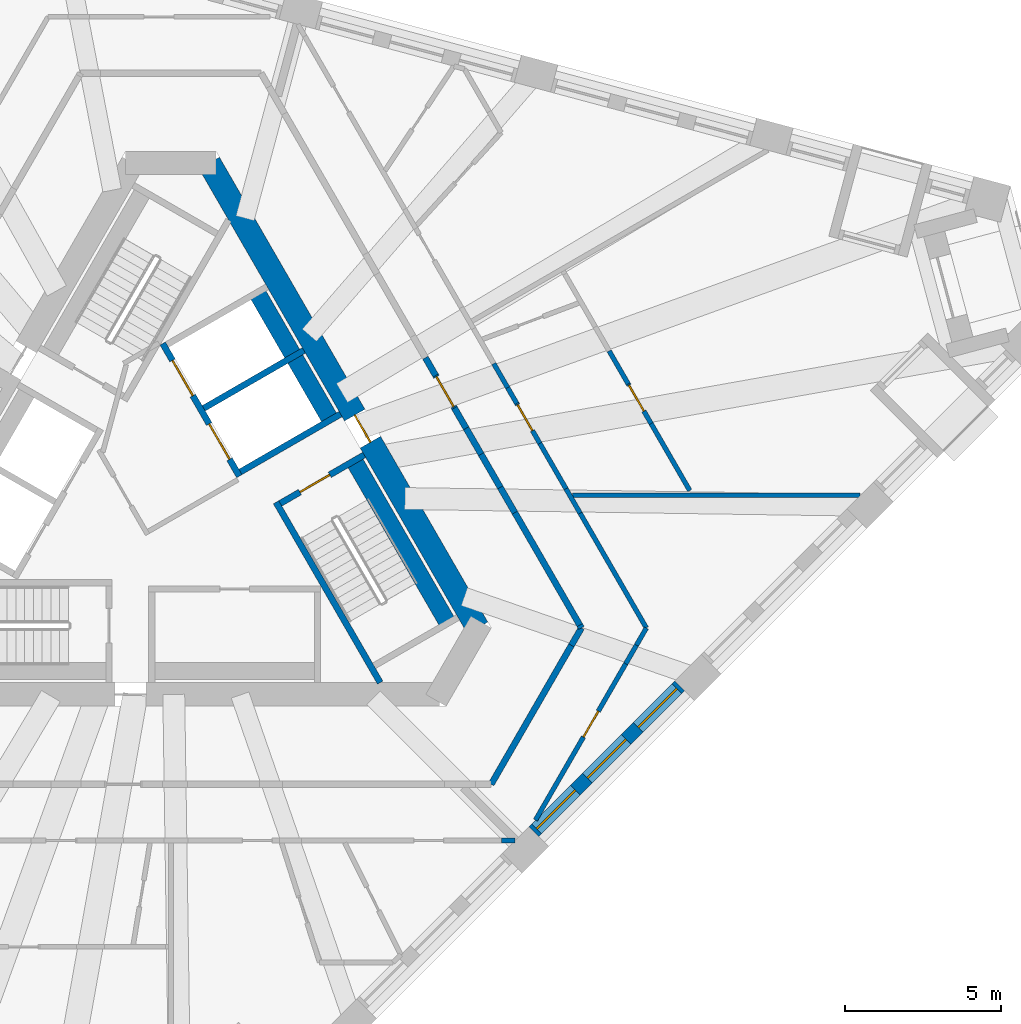
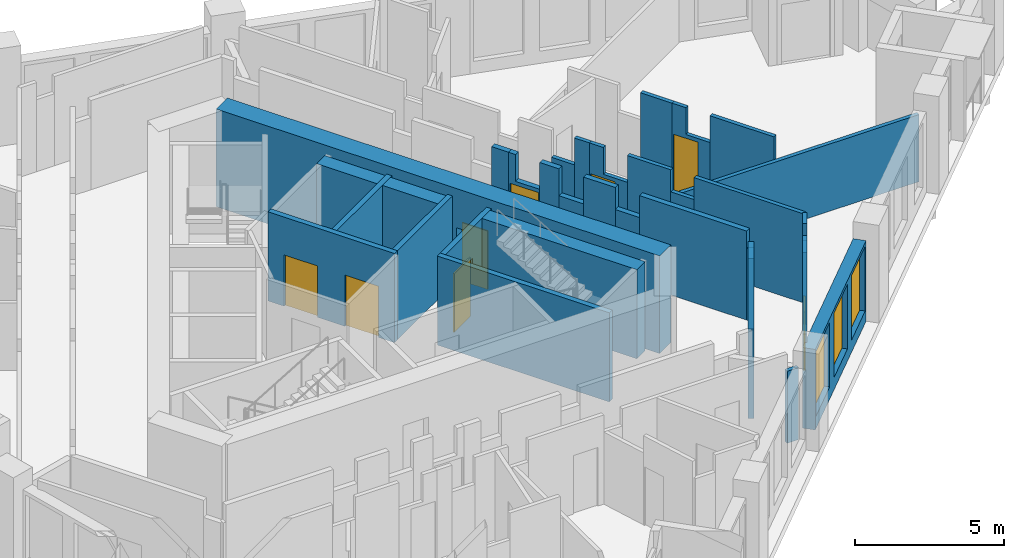
# One storey, part 5 of 13: 33 walls, 8 doors, 3 windows, 11 openings.
"""IFC4 building model written with IfcOpenShell, lengths in metres."""

from ifc_helpers import new_model, si_unit, direction, frame, frame_2d, origin, place, context, subcontext, project, spatial, polyline, rectangle, outline, extrude, material, layer, layer_set, type_object, element, fill, save


model = new_model("IFC4")

# Units and contexts
model_context = context("Model", 3, precision=1e-05, world=origin(), true_north=direction((0.0, 1.0)))
body_context = subcontext(model_context, "Body", "Model", "MODEL_VIEW")
ifc_project = project(units=[si_unit("LENGTHUNIT", "METRE"), si_unit("AREAUNIT", "SQUARE_METRE"), si_unit("VOLUMEUNIT", "CUBIC_METRE"), si_unit("PLANEANGLEUNIT", "RADIAN"), si_unit("MASSUNIT", "GRAM", prefix="KILO")], contexts=[model_context])

# Site, building, storey
site_placement = place(None, origin())
site = spatial("IfcSite", under=ifc_project, at=site_placement, CompositionType="ELEMENT")
building_placement = place(site_placement, origin())
building = spatial("IfcBuilding", under=site, at=building_placement, Name="Tramontana Tower", CompositionType="ELEMENT")
storey_placement = place(building_placement, frame((0.0, 0.0, 208.0)))
storey = spatial("IfcBuildingStorey", under=building, at=storey_placement, Name="L48", CompositionType="ELEMENT", Elevation=208.0)

# Wall, opening, door
ifc_material_1 = material(Name="Concrete 70 MPa", Category="concrete")
ifc_layer_1 = layer(ifc_material_1, 0.75)
ifc_layer_set_1 = layer_set([ifc_layer_1], Name="Core wall 750 70 MPa")
wall_type_1 = type_object("IfcWallType", Name="Core wall 750 70 MPa", PredefinedType="SHEAR", material=ifc_layer_set_1)
wall_1_placement = place(storey_placement, frame((9.81494140625, -4.25, 0.0), z_axis=(0.0, 0.0, 1.0), x_axis=(-0.500002161919, 0.866024155596, 0.0)))
wall_1 = element("IfcWall", 1, at=wall_1_placement, inside=storey, type_object=wall_type_1, Name="Core wall C5 L48", PredefinedType="SHEAR", context=body_context, shape_type="SweptSolid", body=[
    extrude(rectangle(XDim=17.17626953125, YDim=0.75, at=frame_2d((8.588134765625, 0.0))), origin(), (0.0, 0.0, 1.0), 4.0),
])
opening_1_placement = place(wall_1_placement, frame((6.863037109375, 0.0, 0.0)))
opening_1 = element("IfcOpeningElement", 2, at=opening_1_placement, cuts=wall_1, Name="Opening RG3", PredefinedType="OPENING", context=body_context, shape_type="SweptSolid", body=[
    extrude(rectangle(XDim=1.0, YDim=2.39990234375, at=frame_2d((0.5, 1.199951171875))), frame((0.0, 0.385009765625, 0.0), z_axis=(0.0, -1.0, 0.0), x_axis=(1.0, 0.0, 0.0)), (0.0, 0.0, 1.0), 0.77001953125),
])
ifc_material_2 = material(Name="Painted steel", Category="steel")
door_type_1 = type_object("IfcDoorType", Name="RING DOOR 1000", OperationType="SINGLE_SWING_LEFT", PredefinedType="DOOR", material=ifc_material_2)
door_1_placement = place(opening_1_placement, origin())
door_1 = element("IfcDoor", 3, at=door_1_placement, inside=storey, type_object=door_type_1, Name="Door RG3", OperationType="SINGLE_SWING_LEFT", OverallHeight=2.39990234375, OverallWidth=1.0, PredefinedType="DOOR", context=body_context, shape_type="SweptSolid", body=[
    extrude(rectangle(XDim=1.0, YDim=2.39990234375, at=frame_2d((0.5, 1.199951171875))), frame((0.0, 0.02490234375, 0.0), z_axis=(0.0, -1.0, 0.0), x_axis=(1.0, 0.0, 0.0)), (0.0, 0.0, 1.0), 0.050048828125),
])
fill(opening_1, door_1)

# Wall
ifc_material_3 = material(Name="Blockwork", Category="masonry")
ifc_layer_2 = layer(ifc_material_3, 0.199951171875)
ifc_layer_set_2 = layer_set([ifc_layer_2], Name="ENTRY WALL 200")
wall_type_2 = type_object("IfcWallType", Name="ENTRY WALL 200", PredefinedType="SOLIDWALL", material=ifc_layer_set_2)
wall_2_placement = place(storey_placement, frame((8.143310546875, 4.3955078125, 0.0), z_axis=(0.0, 0.0, 1.0), x_axis=(0.499776065732, -0.866154653697, 0.0)))
element("IfcWall", 4, at=wall_2_placement, inside=storey, type_object=wall_type_2, Name="Wall v50-ew0-6", PredefinedType="SOLIDWALL", context=body_context, shape_type="SweptSolid", body=[
    extrude(rectangle(XDim=0.656982421875, YDim=0.199951171875, at=frame_2d((0.32861328125, 0.0))), origin(), (0.0, 0.0, 1.0), 3.64990234375),
])

# Wall, opening, door
wall_3_placement = place(storey_placement, frame((8.4716796875, 3.826416015625, 0.0), z_axis=(0.0, 0.0, 1.0), x_axis=(0.500033551112, -0.866006032174, 0.0)))
wall_3 = element("IfcWall", 5, at=wall_3_placement, inside=storey, type_object=wall_type_2, Name="Wall v50-ew0-7", PredefinedType="SOLIDWALL", context=body_context, shape_type="SweptSolid", body=[
    extrude(outline(polyline([(0.0, 0.0), (1.2001953125, 0.0), (1.199951171875, 2.550048828125), (0.2666015625, 2.550048828125), (0.2666015625, 3.64990234375), (0.0, 3.64990234375), (0.0, 0.0)])), frame((0.0, 0.10009765625, 0.0), z_axis=(0.0, -1.0, 0.0), x_axis=(1.0, 0.0, 0.0)), (0.0, 0.0, 1.0), 0.199951171875),
])
opening_2_placement = place(wall_3_placement, frame((0.050048828125, 0.0, 0.0)))
opening_2 = element("IfcOpeningElement", 6, at=opening_2_placement, cuts=wall_3, Name="Opening B5A-24", PredefinedType="OPENING", context=body_context, shape_type="SweptSolid", body=[
    extrude(rectangle(XDim=1.10009765625, YDim=2.39990234375, at=frame_2d((0.550048828125, 1.199951171875))), frame((0.0, 0.10986328125, 0.0), z_axis=(0.0, -1.0, 0.0), x_axis=(1.0, 0.0, 0.0)), (0.0, 0.0, 1.0), 0.219970703125),
])
ifc_material_4 = material(Name="Painted timber", Category="wood")
door_type_2 = type_object("IfcDoorType", Name="DOOR ENTRY 1100", OperationType="SINGLE_SWING_LEFT", PredefinedType="DOOR", material=ifc_material_4)
door_2_placement = place(opening_2_placement, origin())
door_2 = element("IfcDoor", 7, at=door_2_placement, inside=storey, type_object=door_type_2, Name="Door B5A-24", OperationType="SINGLE_SWING_RIGHT", OverallHeight=2.39990234375, OverallWidth=1.10009765625, PredefinedType="DOOR", context=body_context, shape_type="SweptSolid", body=[
    extrude(rectangle(XDim=1.10009765625, YDim=2.39990234375, at=frame_2d((0.550048828125, 1.199951171875))), frame((0.0, 0.02490234375, 0.0), z_axis=(0.0, -1.0, 0.0), x_axis=(1.0, 0.0, 0.0)), (0.0, 0.0, 1.0), 0.050048828125),
])
fill(opening_2, door_2)

# Walls
wall_4_placement = place(storey_placement, frame((9.07177734375, 2.787109375, 0.0), z_axis=(0.0, 0.0, 1.0), x_axis=(0.50020163859, -0.865908956387, 0.0)))
element("IfcWall", 8, at=wall_4_placement, inside=storey, type_object=wall_type_2, Name="Wall v50-ew0-8", PredefinedType="SOLIDWALL", context=body_context, shape_type="SweptSolid", body=[
    extrude(rectangle(XDim=0.749755859375, YDim=0.199951171875, at=frame_2d((0.375, 0.0))), origin(), (0.0, 0.0, 1.0), 3.64990234375),
])
wall_5_placement = place(storey_placement, frame((9.44677734375, 2.137939453125, 0.0), z_axis=(0.0, 0.0, 1.0), x_axis=(0.499869636591, -0.866100656052, 0.0)))
element("IfcWall", 9, at=wall_5_placement, inside=storey, type_object=wall_type_2, Name="Wall v50-ew0-9", PredefinedType="SOLIDWALL", context=body_context, shape_type="SweptSolid", body=[
    extrude(rectangle(XDim=0.957275390625, YDim=0.199951171875, at=frame_2d((0.478515625, 0.0))), origin(), (0.0, 0.0, 1.0), 2.550048828125),
])
wall_6_placement = place(storey_placement, frame((9.92529296875, 1.308837890625, 0.0), z_axis=(0.0, 0.0, 1.0), x_axis=(0.500055461028, -0.865993380977, 0.0)))
element("IfcWall", 10, at=wall_6_placement, inside=storey, type_object=wall_type_2, Name="Wall v50-ew0-10", PredefinedType="SOLIDWALL", context=body_context, shape_type="SweptSolid", body=[
    extrude(rectangle(XDim=1.226806640625, YDim=0.199951171875, at=frame_2d((0.61328125, 0.0))), origin(), (0.0, 0.0, 1.0), 3.64990234375),
])
wall_7_placement = place(storey_placement, frame((10.538818359375, 0.246337890625, 0.0), z_axis=(0.0, 0.0, 1.0), x_axis=(0.499971966783, -0.866041588165, 0.0)))
element("IfcWall", 11, at=wall_7_placement, inside=storey, type_object=wall_type_2, Name="Wall v50-ew0-11", PredefinedType="SOLIDWALL", context=body_context, shape_type="SweptSolid", body=[
    extrude(rectangle(XDim=0.931640625, YDim=0.199951171875, at=frame_2d((0.4658203125, 0.0))), origin(), (0.0, 0.0, 1.0), 2.75),
])
wall_8_placement = place(storey_placement, frame((11.004638671875, -0.560546875, 0.0), z_axis=(0.0, 0.0, 1.0), x_axis=(0.499993700073, -0.866029041019, 0.0)))
element("IfcWall", 12, at=wall_8_placement, inside=storey, type_object=wall_type_2, Name="Wall v50-ew0-12", PredefinedType="SOLIDWALL", context=body_context, shape_type="SweptSolid", body=[
    extrude(rectangle(XDim=4.1552734375, YDim=0.199951171875, at=frame_2d((2.07763671875, 0.0))), origin(), (0.0, 0.0, 1.0), 3.64990234375),
])
wall_9_placement = place(storey_placement, frame((13.082275390625, -4.1591796875, 0.0), z_axis=(0.0, 0.0, 1.0), x_axis=(0.500393920955, -0.865797853931, 0.0)))
element("IfcWall", 13, at=wall_9_placement, inside=storey, type_object=wall_type_2, Name="Wall v50-ew0-13", PredefinedType="SOLIDWALL", context=body_context, shape_type="SweptSolid", body=[
    extrude(rectangle(XDim=0.10498046875, YDim=0.199951171875, at=frame_2d((0.052490234375, 0.0))), origin(), (0.0, 0.0, 1.0), 2.949951171875),
])
wall_10_placement = place(storey_placement, frame((13.134765625, -4.25, 0.0), z_axis=(0.0, 0.0, 1.0), x_axis=(-0.500018234033, -0.866014876105, 0.0)))
element("IfcWall", 14, at=wall_10_placement, inside=storey, type_object=wall_type_2, Name="Wall v50-ew1-0", PredefinedType="SOLIDWALL", context=body_context, shape_type="SweptSolid", body=[
    extrude(rectangle(XDim=0.64306640625, YDim=0.199951171875, at=frame_2d((0.321533203125, 0.0))), origin(), (0.0, 0.0, 1.0), 2.949951171875),
])
wall_11_placement = place(storey_placement, frame((12.813232421875, -4.806884765625, 0.0), z_axis=(0.0, 0.0, 1.0), x_axis=(-0.499992949462, -0.866029474376, 0.0)))
element("IfcWall", 15, at=wall_11_placement, inside=storey, type_object=wall_type_2, Name="Wall v50-ew1-1", PredefinedType="SOLIDWALL", context=body_context, shape_type="SweptSolid", body=[
    extrude(rectangle(XDim=5.13037109375, YDim=0.199951171875, at=frame_2d((2.565185546875, 0.0))), origin(), (0.0, 0.0, 1.0), 3.64990234375),
])

# Wall, openings, windows
ifc_material_5 = material(Name="Precast concrete 60 MPa", Category="concrete")
ifc_layer_3 = layer(ifc_material_5, 0.449951171875)
ifc_layer_set_3 = layer_set([ifc_layer_3], Name="Precast concrete 60 MPa, 450 mm")
wall_type_3 = type_object("IfcWallType", Name="EW1 Stone-faced precast wall 450", PredefinedType="SOLIDWALL", material=ifc_layer_set_3)
wall_12_placement = place(storey_placement, frame((11.6142578125, -10.765625, 0.0), z_axis=(0.0, 0.0, 1.0), x_axis=(0.707106781187, 0.707106781187, 0.0)))
wall_12 = element("IfcWall", 16, at=wall_12_placement, inside=storey, type_object=wall_type_3, Name="External wall L48 face 1 bay 4", PredefinedType="SOLIDWALL", context=body_context, shape_type="SweptSolid", body=[
    extrude(rectangle(XDim=6.59423828125, YDim=0.449951171875, at=frame_2d((3.297119140625, 0.0))), origin(), (0.0, 0.0, 1.0), 3.300048828125),
])
opening_3_placement = place(wall_12_placement, frame((0.1240234375, 0.0, 0.5)))
opening_3 = element("IfcOpeningElement", 17, at=opening_3_placement, cuts=wall_12, Name="Opening M2", PredefinedType="OPENING", context=body_context, shape_type="SweptSolid", body=[
    extrude(rectangle(XDim=1.75, YDim=2.64990234375, at=frame_2d((0.875, 1.324951171875))), frame((0.0, 0.23486328125, 0.0), z_axis=(0.0, -1.0, 0.0), x_axis=(1.0, 0.0, 0.0)), (0.0, 0.0, 1.0), 0.469970703125),
])
opening_4_placement = place(wall_12_placement, frame((2.422119140625, 0.0, 0.5)))
opening_4 = element("IfcOpeningElement", 18, at=opening_4_placement, cuts=wall_12, Name="Opening M2", PredefinedType="OPENING", context=body_context, shape_type="SweptSolid", body=[
    extrude(rectangle(XDim=1.75, YDim=2.64990234375, at=frame_2d((0.875, 1.324951171875))), frame((0.0, 0.23486328125, 0.0), z_axis=(0.0, -1.0, 0.0), x_axis=(1.0, 0.0, 0.0)), (0.0, 0.0, 1.0), 0.469970703125),
])
opening_5_placement = place(wall_12_placement, frame((4.72021484375, 0.0, 0.5)))
opening_5 = element("IfcOpeningElement", 19, at=opening_5_placement, cuts=wall_12, Name="Opening M2", PredefinedType="OPENING", context=body_context, shape_type="SweptSolid", body=[
    extrude(rectangle(XDim=1.75, YDim=2.64990234375, at=frame_2d((0.875, 1.324951171875))), frame((0.0, 0.23486328125, 0.0), z_axis=(0.0, -1.0, 0.0), x_axis=(1.0, 0.0, 0.0)), (0.0, 0.0, 1.0), 0.469970703125),
])
ifc_material_6 = material(Name="Aluminum frame, double glazing unit", Category="aluminium")
window_type = type_object("IfcWindowType", Name="M2 Window 1.75 x 2.65", PartitioningType="SINGLE_PANEL", PredefinedType="WINDOW", material=ifc_material_6)
window_1_placement = place(opening_3_placement, origin())
window_1 = element("IfcWindow", 20, at=window_1_placement, inside=storey, type_object=window_type, Name="Window M2 L48 face 1 module 10", OverallHeight=2.64990234375, OverallWidth=1.75, PartitioningType="SINGLE_PANEL", PredefinedType="WINDOW", context=body_context, shape_type="SweptSolid", body=[
    extrude(rectangle(XDim=1.75, YDim=2.64990234375, at=frame_2d((0.875, 1.324951171875))), frame((0.0, 0.030029296875, 0.0), z_axis=(0.0, -1.0, 0.0), x_axis=(1.0, 0.0, 0.0)), (0.0, 0.0, 1.0), 0.06005859375),
])
fill(opening_3, window_1)
window_2_placement = place(opening_4_placement, origin())
window_2 = element("IfcWindow", 21, at=window_2_placement, inside=storey, type_object=window_type, Name="Window M2 L48 face 1 module 11", OverallHeight=2.64990234375, OverallWidth=1.75, PartitioningType="SINGLE_PANEL", PredefinedType="WINDOW", context=body_context, shape_type="SweptSolid", body=[
    extrude(rectangle(XDim=1.75, YDim=2.64990234375, at=frame_2d((0.875, 1.324951171875))), frame((0.0, 0.030029296875, 0.0), z_axis=(0.0, -1.0, 0.0), x_axis=(1.0, 0.0, 0.0)), (0.0, 0.0, 1.0), 0.06005859375),
])
fill(opening_4, window_2)
window_3_placement = place(opening_5_placement, origin())
window_3 = element("IfcWindow", 22, at=window_3_placement, inside=storey, type_object=window_type, Name="Window M2 L48 face 1 module 12", OverallHeight=2.64990234375, OverallWidth=1.75, PartitioningType="SINGLE_PANEL", PredefinedType="WINDOW", context=body_context, shape_type="SweptSolid", body=[
    extrude(rectangle(XDim=1.75, YDim=2.64990234375, at=frame_2d((0.875, 1.324951171875))), frame((0.0, 0.030029296875, 0.0), z_axis=(0.0, -1.0, 0.0), x_axis=(1.0, 0.0, 0.0)), (0.0, 0.0, 1.0), 0.06005859375),
])
fill(opening_5, window_3)

# Walls
ifc_material_7 = material(Name="Gypsum board partition")
ifc_layer_4 = layer(ifc_material_7, 0.14990234375)
ifc_layer_set_4 = layer_set([ifc_layer_4], Name="PARTITION 150")
wall_type_4 = type_object("IfcWallType", Name="PARTITION 150", PredefinedType="PARTITIONING", material=ifc_layer_set_4)
wall_13_placement = place(storey_placement, frame((10.330322265625, 4.20703125, 0.0), z_axis=(0.0, 0.0, 1.0), x_axis=(0.500245559984, -0.865883583235, 0.0)))
element("IfcWall", 23, at=wall_13_placement, inside=storey, type_object=wall_type_4, Name="Wall v50-pw13-6", PredefinedType="PARTITIONING", context=body_context, shape_type="SweptSolid", body=[
    extrude(rectangle(XDim=0.888671875, YDim=0.14990234375, at=frame_2d((0.4443359375, 0.0))), origin(), (0.0, 0.0, 1.0), 2.550048828125),
])
wall_14_placement = place(storey_placement, frame((10.77490234375, 3.4375, 0.0), z_axis=(0.0, 0.0, 1.0), x_axis=(0.499818765479, -0.866130014302, 0.0)))
element("IfcWall", 24, at=wall_14_placement, inside=storey, type_object=wall_type_4, Name="Wall v50-pw13-7", PredefinedType="PARTITIONING", context=body_context, shape_type="SweptSolid", body=[
    extrude(rectangle(XDim=0.585205078125, YDim=0.14990234375, at=frame_2d((0.29248046875, 0.0))), origin(), (0.0, 0.0, 1.0), 3.64990234375),
])

# Wall, opening, door
wall_15_placement = place(storey_placement, frame((11.0673828125, 2.9306640625, 0.0), z_axis=(0.0, 0.0, 1.0), x_axis=(0.500009564119, -0.866019881867, 0.0)))
wall_15 = element("IfcWall", 25, at=wall_15_placement, inside=storey, type_object=wall_type_4, Name="Wall v50-pw13-8", PredefinedType="PARTITIONING", context=body_context, shape_type="SweptSolid", body=[
    extrude(outline(polyline([(0.0, 0.0), (1.47216796875, 0.0), (1.471923828125, 2.550048828125), (0.541259765625, 2.550048828125), (0.541259765625, 3.64990234375), (0.0, 3.64990234375), (0.0, 0.0)])), frame((0.0, 0.074951171875, 0.0), z_axis=(0.0, -1.0, 0.0), x_axis=(1.0, 0.0, 0.0)), (0.0, 0.0, 1.0), 0.14990234375),
])
opening_6_placement = place(wall_15_placement, frame((0.050048828125, 0.0, 0.0)))
opening_6 = element("IfcOpeningElement", 26, at=opening_6_placement, cuts=wall_15, Name="Opening B5A-11", PredefinedType="OPENING", context=body_context, shape_type="SweptSolid", body=[
    extrude(rectangle(XDim=0.949951171875, YDim=2.39990234375, at=frame_2d((0.47509765625, 1.199951171875))), frame((0.0, 0.0849609375, 0.0), z_axis=(0.0, -1.0, 0.0), x_axis=(1.0, 0.0, 0.0)), (0.0, 0.0, 1.0), 0.169921875),
])
ifc_material_8 = material(Name="Painted timber", Category="wood")
door_type_3 = type_object("IfcDoorType", Name="DOOR ROOM 950", OperationType="SINGLE_SWING_LEFT", PredefinedType="DOOR", material=ifc_material_8)
door_3_placement = place(opening_6_placement, origin())
door_3 = element("IfcDoor", 27, at=door_3_placement, inside=storey, type_object=door_type_3, Name="Door B5A-11", OperationType="SINGLE_SWING_LEFT", OverallHeight=2.39990234375, OverallWidth=0.949951171875, PredefinedType="DOOR", context=body_context, shape_type="SweptSolid", body=[
    extrude(rectangle(XDim=0.949951171875, YDim=2.39990234375, at=frame_2d((0.47509765625, 1.199951171875))), frame((0.0, 0.02490234375, 0.0), z_axis=(0.0, -1.0, 0.0), x_axis=(1.0, 0.0, 0.0)), (0.0, 0.0, 1.0), 0.050048828125),
])
fill(opening_6, door_3)

# Walls
wall_16_placement = place(storey_placement, frame((11.803466796875, 1.65576171875, 0.0), z_axis=(0.0, 0.0, 1.0), x_axis=(0.499974444137, -0.866040157966, 0.0)))
element("IfcWall", 28, at=wall_16_placement, inside=storey, type_object=wall_type_4, Name="Wall v50-pw13-9", PredefinedType="PARTITIONING", context=body_context, shape_type="SweptSolid", body=[
    extrude(rectangle(XDim=1.67724609375, YDim=0.14990234375, at=frame_2d((0.838623046875, 0.0))), origin(), (0.0, 0.0, 1.0), 3.64990234375),
])
wall_17_placement = place(storey_placement, frame((12.64208984375, 0.203125, 0.0), z_axis=(0.0, 0.0, 1.0), x_axis=(0.500065807255, -0.865987406614, 0.0)))
element("IfcWall", 29, at=wall_17_placement, inside=storey, type_object=wall_type_4, Name="Wall v50-pw13-10", PredefinedType="PARTITIONING", context=body_context, shape_type="SweptSolid", body=[
    extrude(rectangle(XDim=0.90283203125, YDim=0.14990234375, at=frame_2d((0.451416015625, 0.0))), origin(), (0.0, 0.0, 1.0), 2.75),
])
wall_18_placement = place(storey_placement, frame((13.093505859375, -0.57861328125, 0.0), z_axis=(0.0, 0.0, 1.0), x_axis=(0.499991648869, -0.866030225258, 0.0)))
element("IfcWall", 30, at=wall_18_placement, inside=storey, type_object=wall_type_4, Name="Wall v50-pw13-11", PredefinedType="PARTITIONING", context=body_context, shape_type="SweptSolid", body=[
    extrude(rectangle(XDim=4.2392578125, YDim=0.14990234375, at=frame_2d((2.11962890625, 0.0))), origin(), (0.0, 0.0, 1.0), 3.64990234375),
])
wall_19_placement = place(storey_placement, frame((11.01171875, -11.050048828125, 0.0), z_axis=(0.0, 0.0, 1.0), x_axis=(-1.0, 0.0, 0.0)))
element("IfcWall", 31, at=wall_19_placement, inside=storey, type_object=wall_type_4, Name="Wall v50-pw24-0", PredefinedType="PARTITIONING", context=body_context, shape_type="SweptSolid", body=[
    extrude(rectangle(XDim=0.43896484375, YDim=0.14990234375, at=frame_2d((0.219482421875, 0.0))), origin(), (0.0, 0.0, 1.0), 2.949951171875),
])
wall_20_placement = place(storey_placement, frame((14.021728515625, 4.613525390625, 0.0), z_axis=(0.0, 0.0, 1.0), x_axis=(0.50005746179, -0.865992225662, 0.0)))
element("IfcWall", 32, at=wall_20_placement, inside=storey, type_object=wall_type_4, Name="Wall v50-pw25-3", PredefinedType="PARTITIONING", context=body_context, shape_type="SweptSolid", body=[
    extrude(rectangle(XDim=1.219482421875, YDim=0.14990234375, at=frame_2d((0.60986328125, 0.0))), origin(), (0.0, 0.0, 1.0), 3.64990234375),
])

# Wall, opening, door
wall_21_placement = place(storey_placement, frame((14.631591796875, 3.557373046875, 0.0), z_axis=(0.0, 0.0, 1.0), x_axis=(0.50003034938, -0.866007880853, 0.0)))
wall_21 = element("IfcWall", 33, at=wall_21_placement, inside=storey, type_object=wall_type_4, Name="Wall v50-pw25-4", PredefinedType="PARTITIONING", context=body_context, shape_type="SweptSolid", body=[
    extrude(outline(polyline([(0.0, 0.0), (1.46435546875, 0.0), (1.464111328125, 2.550048828125), (0.53369140625, 2.550048828125), (0.53369140625, 3.64990234375), (0.0, 3.64990234375), (0.0, 0.0)])), frame((0.0, 0.074951171875, 0.0), z_axis=(0.0, -1.0, 0.0), x_axis=(1.0, 0.0, 0.0)), (0.0, 0.0, 1.0), 0.14990234375),
])
opening_7_placement = place(wall_21_placement, frame((0.050048828125, 0.0, 0.0)))
opening_7 = element("IfcOpeningElement", 34, at=opening_7_placement, cuts=wall_21, Name="Opening B5A-19", PredefinedType="OPENING", context=body_context, shape_type="SweptSolid", body=[
    extrude(rectangle(XDim=0.949951171875, YDim=2.39990234375, at=frame_2d((0.47509765625, 1.199951171875))), frame((0.0, 0.0849609375, 0.0), z_axis=(0.0, -1.0, 0.0), x_axis=(1.0, 0.0, 0.0)), (0.0, 0.0, 1.0), 0.169921875),
])
door_4_placement = place(opening_7_placement, origin())
door_4 = element("IfcDoor", 35, at=door_4_placement, inside=storey, type_object=door_type_3, Name="Door B5A-19", OperationType="SINGLE_SWING_LEFT", OverallHeight=2.39990234375, OverallWidth=0.949951171875, PredefinedType="DOOR", context=body_context, shape_type="SweptSolid", body=[
    extrude(rectangle(XDim=0.949951171875, YDim=2.39990234375, at=frame_2d((0.47509765625, 1.199951171875))), frame((0.0, 0.02490234375, 0.0), z_axis=(0.0, -1.0, 0.0), x_axis=(1.0, 0.0, 0.0)), (0.0, 0.0, 1.0), 0.050048828125),
])
fill(opening_7, door_4)

# Walls
wall_22_placement = place(storey_placement, frame((15.36376953125, 2.289306640625, 0.0), z_axis=(0.0, 0.0, 1.0), x_axis=(0.499978546328, -0.866037789714, 0.0)))
element("IfcWall", 36, at=wall_22_placement, inside=storey, type_object=wall_type_4, Name="Wall v50-pw25-5", PredefinedType="PARTITIONING", context=body_context, shape_type="SweptSolid", body=[
    extrude(rectangle(XDim=2.4755859375, YDim=0.14990234375, at=frame_2d((1.23779296875, 0.0))), origin(), (0.0, 0.0, 1.0), 3.64990234375),
])
wall_23_placement = place(storey_placement, frame((15.213134765625, -4.25, 0.0), z_axis=(0.0, 0.0, 1.0), x_axis=(-0.499899851437, -0.866083216864, 0.0)))
element("IfcWall", 37, at=wall_23_placement, inside=storey, type_object=wall_type_4, Name="Wall v50-pw26-0", PredefinedType="PARTITIONING", context=body_context, shape_type="SweptSolid", body=[
    extrude(rectangle(XDim=0.635498046875, YDim=0.14990234375, at=frame_2d((0.31787109375, 0.0))), origin(), (0.0, 0.0, 1.0), 3.64990234375),
])
wall_24_placement = place(storey_placement, frame((14.8955078125, -4.80029296875, 0.0), z_axis=(0.0, 0.0, 1.0), x_axis=(-0.5001118933, -0.865960792519, 0.0)))
element("IfcWall", 38, at=wall_24_placement, inside=storey, type_object=wall_type_4, Name="Wall v50-pw26-1", PredefinedType="PARTITIONING", context=body_context, shape_type="SweptSolid", body=[
    extrude(rectangle(XDim=0.687255859375, YDim=0.14990234375, at=frame_2d((0.34375, 0.0))), origin(), (0.0, 0.0, 1.0), 2.949951171875),
])

# Wall, opening, door
wall_25_placement = place(storey_placement, frame((14.5517578125, -5.3955078125, 0.0), z_axis=(0.0, 0.0, 1.0), x_axis=(-0.499984646442, -0.866034267984, 0.0)))
wall_25 = element("IfcWall", 39, at=wall_25_placement, inside=storey, type_object=wall_type_4, Name="Wall v50-pw26-2", PredefinedType="PARTITIONING", context=body_context, shape_type="SweptSolid", body=[
    extrude(rectangle(XDim=5.776611328125, YDim=0.14990234375, at=frame_2d((2.88818359375, 0.0))), origin(), (0.0, 0.0, 1.0), 3.64990234375),
])
opening_8_placement = place(wall_25_placement, frame((1.751953125, 0.0, 0.0)))
opening_8 = element("IfcOpeningElement", 40, at=opening_8_placement, cuts=wall_25, Name="Opening B5A-12", PredefinedType="OPENING", context=body_context, shape_type="SweptSolid", body=[
    extrude(rectangle(XDim=0.949951171875, YDim=2.39990234375, at=frame_2d((0.47509765625, 1.199951171875))), frame((0.0, 0.0849609375, 0.0), z_axis=(0.0, -1.0, 0.0), x_axis=(1.0, 0.0, 0.0)), (0.0, 0.0, 1.0), 0.169921875),
])
door_5_placement = place(opening_8_placement, origin())
door_5 = element("IfcDoor", 41, at=door_5_placement, inside=storey, type_object=door_type_3, Name="Door B5A-12", OperationType="SINGLE_SWING_RIGHT", OverallHeight=2.39990234375, OverallWidth=0.949951171875, PredefinedType="DOOR", context=body_context, shape_type="SweptSolid", body=[
    extrude(rectangle(XDim=0.949951171875, YDim=2.39990234375, at=frame_2d((0.47509765625, 1.199951171875))), frame((0.0, 0.02490234375, 0.0), z_axis=(0.0, -1.0, 0.0), x_axis=(1.0, 0.0, 0.0)), (0.0, 0.0, 1.0), 0.050048828125),
])
fill(opening_8, door_5)

# Walls
wall_26_placement = place(storey_placement, frame((22.053466796875, -0.008056640625, 0.0), z_axis=(0.0, 0.0, 1.0), x_axis=(-0.999999931056, 0.00037133306, 0.0)))
element("IfcWall", 42, at=wall_26_placement, inside=storey, type_object=wall_type_4, Name="Wall v50-pw27-0", PredefinedType="PARTITIONING", context=body_context, shape_type="SweptSolid", body=[
    extrude(rectangle(XDim=9.20458984375, YDim=0.14990234375, at=frame_2d((4.602294921875, 0.0))), origin(), (0.0, 0.0, 1.0), 2.75),
])
ifc_material_9 = material(Name="Concrete 70 MPa", Category="concrete")
ifc_layer_5 = layer(ifc_material_9, 0.550048828125)
ifc_layer_set_5 = layer_set([ifc_layer_5], Name="Concrete 70 MPa, 550 mm")
wall_type_5 = type_object("IfcWallType", Name="RC SHAFT BACK WALL 550", PredefinedType="SOLIDWALL", material=ifc_layer_set_5)
wall_27_placement = place(storey_placement, frame((8.911376953125, -4.18505859375, 0.0), z_axis=(0.0, 0.0, 1.0), x_axis=(-0.500009909098, 0.866019682689, 0.0)))
element("IfcWall", 43, at=wall_27_placement, inside=storey, type_object=wall_type_5, Name="Wall st3-back", PredefinedType="SOLIDWALL", context=body_context, shape_type="SweptSolid", body=[
    extrude(rectangle(XDim=6.199951171875, YDim=0.550048828125, at=frame_2d((3.10009765625, 0.0))), origin(), (0.0, 0.0, 1.0), 3.64990234375),
])
wall_28_placement = place(storey_placement, frame((5.156494140625, 2.31884765625, 0.0), z_axis=(0.0, 0.0, 1.0), x_axis=(-0.500018594424, 0.866014668023, 0.0)))
element("IfcWall", 44, at=wall_28_placement, inside=storey, type_object=wall_type_5, Name="Wall row2-back", PredefinedType="SOLIDWALL", context=body_context, shape_type="SweptSolid", body=[
    extrude(rectangle(XDim=4.900146484375, YDim=0.550048828125, at=frame_2d((2.4501953125, 0.0))), origin(), (0.0, 0.0, 1.0), 3.64990234375),
])
ifc_material_10 = material(Name="Concrete 70 MPa", Category="concrete")
ifc_layer_6 = layer(ifc_material_10, 0.199951171875)
ifc_layer_set_6 = layer_set([ifc_layer_6], Name="Concrete 70 MPa, 200 mm")
wall_type_6 = type_object("IfcWallType", Name="RC STAIR AND SHAFT WALL 200", PredefinedType="SOLIDWALL", material=ifc_layer_set_6)
wall_29_placement = place(storey_placement, frame((6.697265625, -6.0, 0.0), z_axis=(0.0, 0.0, 1.0), x_axis=(-0.499980354584, 0.866036745774, 0.0)))
element("IfcWall", 45, at=wall_29_placement, inside=storey, type_object=wall_type_6, Name="Wall st3-front", PredefinedType="SOLIDWALL", context=body_context, shape_type="SweptSolid", body=[
    extrude(rectangle(XDim=6.664794921875, YDim=0.199951171875, at=frame_2d((3.33251953125, 0.0))), origin(), (0.0, 0.0, 1.0), 3.64990234375),
])

# Wall, opening, door
wall_30_placement = place(storey_placement, frame((3.50146484375, -0.2646484375, 0.0), z_axis=(0.0, 0.0, 1.0), x_axis=(0.866043940782, 0.499967891604, 0.0)))
wall_30 = element("IfcWall", 46, at=wall_30_placement, inside=storey, type_object=wall_type_6, Name="Wall st3-near", PredefinedType="SOLIDWALL", context=body_context, shape_type="SweptSolid", body=[
    extrude(rectangle(XDim=3.099853515625, YDim=0.199951171875, at=frame_2d((1.5498046875, 0.0))), origin(), (0.0, 0.0, 1.0), 3.64990234375),
])
opening_9_placement = place(wall_30_placement, frame((0.72509765625, 0.0, 0.0)))
opening_9 = element("IfcOpeningElement", 47, at=opening_9_placement, cuts=wall_30, Name="Opening SD3", PredefinedType="OPENING", context=body_context, shape_type="SweptSolid", body=[
    extrude(rectangle(XDim=1.10009765625, YDim=2.39990234375, at=frame_2d((0.550048828125, 1.199951171875))), frame((0.0, 0.10986328125, 0.0), z_axis=(0.0, -1.0, 0.0), x_axis=(1.0, 0.0, 0.0)), (0.0, 0.0, 1.0), 0.219970703125),
])
ifc_material_11 = material(Name="Painted steel", Category="steel")
door_type_4 = type_object("IfcDoorType", Name="STAIR DOOR 1100", OperationType="SINGLE_SWING_LEFT", PredefinedType="DOOR", material=ifc_material_11)
door_6_placement = place(opening_9_placement, origin())
door_6 = element("IfcDoor", 48, at=door_6_placement, inside=storey, type_object=door_type_4, Name="Door SD3", OperationType="SINGLE_SWING_RIGHT", OverallHeight=2.39990234375, OverallWidth=1.10009765625, PredefinedType="DOOR", context=body_context, shape_type="SweptSolid", body=[
    extrude(rectangle(XDim=1.10009765625, YDim=2.39990234375, at=frame_2d((0.550048828125, 1.199951171875))), frame((0.0, 0.02490234375, 0.0), z_axis=(0.0, -1.0, 0.0), x_axis=(1.0, 0.0, 0.0)), (0.0, 0.0, 1.0), 0.050048828125),
])
fill(opening_9, door_6)

# Wall, openings, doors
wall_31_placement = place(storey_placement, frame((2.190185546875, 0.6064453125, 0.0), z_axis=(0.0, 0.0, 1.0), x_axis=(-0.500002801628, 0.866023786258, 0.0)))
wall_31 = element("IfcWall", 49, at=wall_31_placement, inside=storey, type_object=wall_type_6, Name="Wall row2-front", PredefinedType="SOLIDWALL", context=body_context, shape_type="SweptSolid", body=[
    extrude(rectangle(XDim=4.89990234375, YDim=0.199951171875, at=frame_2d((2.449951171875, 0.0))), origin(), (0.0, 0.0, 1.0), 3.64990234375),
])
opening_10_placement = place(wall_31_placement, frame((0.625, 0.0, 0.0)))
opening_10 = element("IfcOpeningElement", 50, at=opening_10_placement, cuts=wall_31, Name="Opening LD-F1", PredefinedType="OPENING", context=body_context, shape_type="SweptSolid", body=[
    extrude(rectangle(XDim=1.300048828125, YDim=2.10009765625, at=frame_2d((0.64990234375, 1.050048828125))), frame((0.0, 0.10986328125, 0.0), z_axis=(0.0, -1.0, 0.0), x_axis=(1.0, 0.0, 0.0)), (0.0, 0.0, 1.0), 0.219970703125),
])
opening_11_placement = place(wall_31_placement, frame((2.97509765625, 0.0, 0.0)))
opening_11 = element("IfcOpeningElement", 51, at=opening_11_placement, cuts=wall_31, Name="Opening LD-F2", PredefinedType="OPENING", context=body_context, shape_type="SweptSolid", body=[
    extrude(rectangle(XDim=1.300048828125, YDim=2.10009765625, at=frame_2d((0.64990234375, 1.050048828125))), frame((0.0, 0.10986328125, 0.0), z_axis=(0.0, -1.0, 0.0), x_axis=(1.0, 0.0, 0.0)), (0.0, 0.0, 1.0), 0.219970703125),
])
ifc_material_12 = material(Name="Brushed steel", Category="steel")
door_type_5 = type_object("IfcDoorType", Name="LANDING DOOR 1300", OperationType="SINGLE_SWING_LEFT", PredefinedType="DOOR", material=ifc_material_12)
door_7_placement = place(opening_10_placement, origin())
door_7 = element("IfcDoor", 52, at=door_7_placement, inside=storey, type_object=door_type_5, Name="Door LD-F1", OperationType="SLIDING_TO_RIGHT", OverallHeight=2.10009765625, OverallWidth=1.300048828125, PredefinedType="DOOR", context=body_context, shape_type="SweptSolid", body=[
    extrude(rectangle(XDim=1.300048828125, YDim=2.10009765625, at=frame_2d((0.64990234375, 1.050048828125))), frame((0.0, 0.02490234375, 0.0), z_axis=(0.0, -1.0, 0.0), x_axis=(1.0, 0.0, 0.0)), (0.0, 0.0, 1.0), 0.050048828125),
])
fill(opening_10, door_7)
door_8_placement = place(opening_11_placement, origin())
door_8 = element("IfcDoor", 53, at=door_8_placement, inside=storey, type_object=door_type_5, Name="Door LD-F2", OperationType="SLIDING_TO_LEFT", OverallHeight=2.10009765625, OverallWidth=1.300048828125, PredefinedType="DOOR", context=body_context, shape_type="SweptSolid", body=[
    extrude(rectangle(XDim=1.300048828125, YDim=2.10009765625, at=frame_2d((0.64990234375, 1.050048828125))), frame((0.0, 0.02490234375, 0.0), z_axis=(0.0, -1.0, 0.0), x_axis=(1.0, 0.0, 0.0)), (0.0, 0.0, 1.0), 0.050048828125),
])
fill(opening_11, door_8)

# Walls
for number, where, z_axis, x_axis, name in (
    (54, (2.226806640625, 0.742919921875, 0.0), (0.0, 0.0, 1.0), (0.86601746898, 0.500013743233, 0.0), "Wall row2-side0"),
    (55, (1.0517578125, 2.778076171875, 0.0), (0.0, 0.0, 1.0), (0.86601746898, 0.500013743233, 0.0), "Wall row2-side1"),
):
    element("IfcWall", number, at=place(storey_placement, frame(where, z_axis=z_axis, x_axis=x_axis)), inside=storey, type_object=wall_type_6, Name=name, PredefinedType="SOLIDWALL", context=body_context, shape_type="SweptSolid", body=[
        extrude(rectangle(XDim=3.7001953125, YDim=0.199951171875, at=frame_2d((1.85009765625, 0.0))), origin(), (0.0, 0.0, 1.0), 3.64990234375),
    ])

save(model, "model.ifc")
